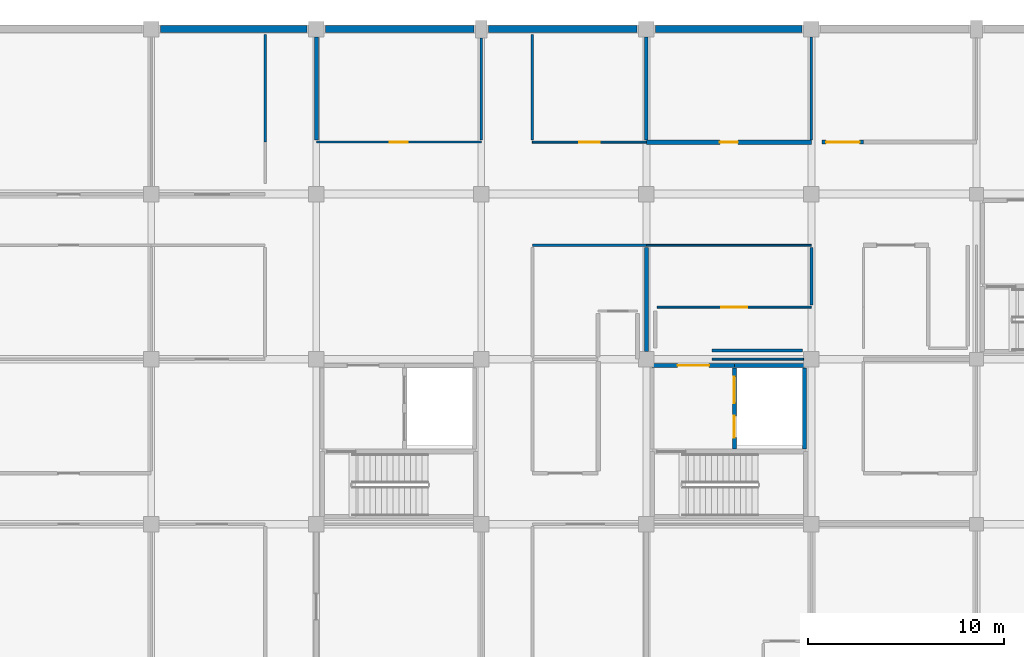
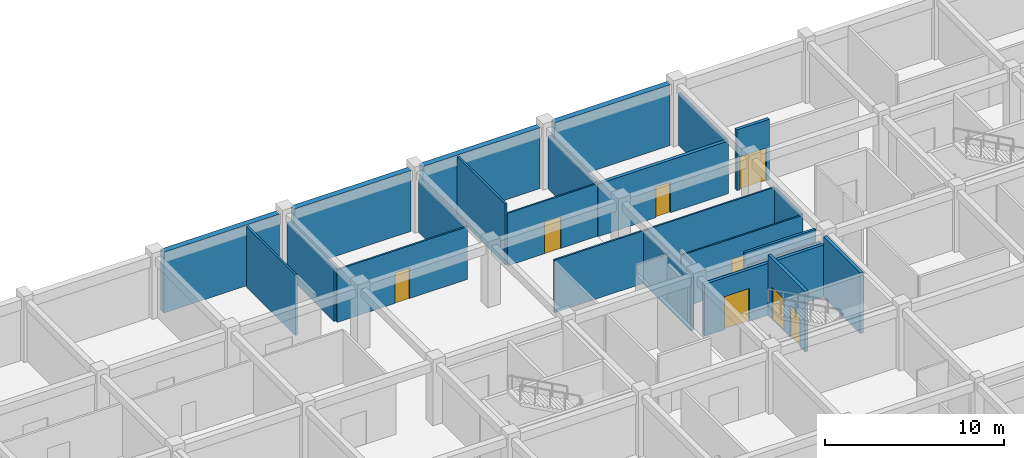
# One storey, part 115 of 144: 25 walls, 8 doors, 8 openings.
"""IFC4 building model written with IfcOpenShell, lengths in metres."""

from ifc_helpers import new_model, si_unit, direction, frame, frame_2d, origin, place, context, subcontext, project, spatial, rectangle, extrude, material, layer, layer_set, type_object, element, fill, save


model = new_model("IFC4")

# Units and contexts
model_context = context("Model", 3, precision=1e-05, world=origin(), true_north=direction((0.0, 1.0)))
body_context = subcontext(model_context, "Body", "Model", "MODEL_VIEW")
ifc_project = project(units=[si_unit("LENGTHUNIT", "METRE"), si_unit("AREAUNIT", "SQUARE_METRE"), si_unit("VOLUMEUNIT", "CUBIC_METRE"), si_unit("PLANEANGLEUNIT", "RADIAN"), si_unit("MASSUNIT", "GRAM", prefix="KILO")], contexts=[model_context])

# Site, building, storey
site_placement = place(None, origin())
site = spatial("IfcSite", under=ifc_project, at=site_placement, CompositionType="ELEMENT")
building_placement = place(site_placement, origin())
building = spatial("IfcBuilding", under=site, at=building_placement, Name="Bramfleet General Hospital", CompositionType="ELEMENT")
storey_placement = place(building_placement, frame((0.0, 0.0, 4.800048828125)))
storey = spatial("IfcBuildingStorey", under=building, at=storey_placement, Name="L01", CompositionType="ELEMENT", Elevation=4.800048828125)

# Walls
ifc_material_1 = material(Name="Concrete C35/45", Category="concrete")
ifc_layer_1 = layer(ifc_material_1, 0.360107421875, Name="WT-EW-02")
ifc_layer_set_1 = layer_set([ifc_layer_1], Name="Concrete C35/45")
wall_type_1 = type_object("IfcWallType", Name="WT-EW-02", PredefinedType="SOLIDWALL", material=ifc_layer_set_1)
wall_1_placement = place(storey_placement, frame((92.875, 117.60009765625, 0.0), z_axis=(0.0, 0.0, 1.0), x_axis=(1.0, 0.0, 0.0)))
element("IfcWall", 1, at=wall_1_placement, inside=storey, type_object=wall_type_1, Name="L01 North REI 90-M Party Wall 167", PredefinedType="SOLIDWALL", context=body_context, shape_type="SweptSolid", body=[
    extrude(rectangle(XDim=7.449951171875, YDim=0.360107421875, at=frame_2d((3.72509765625, 0.0))), origin(), (0.0, 0.0, 1.0), 4.14990234375),
])
for number, where, z_axis, x_axis, name in (
    (2, (101.27490234375, 117.60009765625, 0.0), (0.0, 0.0, 1.0), (1.0, 0.0, 0.0), "L01 North REI 90-M Party Wall 168"),
    (3, (109.574951171875, 117.60009765625, 0.0), (0.0, 0.0, 1.0), (1.0, 0.0, 0.0), "L01 North REI 90-M Party Wall 169"),
):
    element("IfcWall", number, at=place(storey_placement, frame(where, z_axis=z_axis, x_axis=x_axis)), inside=storey, type_object=wall_type_1, Name=name, PredefinedType="SOLIDWALL", context=body_context, shape_type="SweptSolid", body=[
        extrude(rectangle(XDim=7.550048828125, YDim=0.360107421875, at=frame_2d((3.77490234375, 0.0))), origin(), (0.0, 0.0, 1.0), 4.14990234375),
    ])
wall_2_placement = place(storey_placement, frame((118.074951171875, 117.60009765625, 0.0), z_axis=(0.0, 0.0, 1.0), x_axis=(1.0, 0.0, 0.0)))
element("IfcWall", 4, at=wall_2_placement, inside=storey, type_object=wall_type_1, Name="L01 North REI 90-M Party Wall 170", PredefinedType="SOLIDWALL", context=body_context, shape_type="SweptSolid", body=[
    extrude(rectangle(XDim=7.449951171875, YDim=0.360107421875, at=frame_2d((3.72509765625, 0.0))), origin(), (0.0, 0.0, 1.0), 4.14990234375),
])

# Wall, opening, door
ifc_layer_2 = layer(ifc_material_1, 0.219970703125, Name="WT-IW-01")
ifc_layer_set_2 = layer_set([ifc_layer_2], Name="Concrete C35/45")
wall_type_2 = type_object("IfcWallType", Name="WT-IW-01", PredefinedType="PARTITIONING", material=ifc_layer_set_2)
wall_3_placement = place(storey_placement, frame((117.60009765625, 111.85009765625, 0.0), z_axis=(0.0, 0.0, 1.0), x_axis=(1.0, 0.0, 0.0)))
wall_3 = element("IfcWall", 5, at=wall_3_placement, inside=storey, type_object=wall_type_2, Name="L01 Interior Partition IW-L01-1573", PredefinedType="PARTITIONING", context=body_context, shape_type="SweptSolid", body=[
    extrude(rectangle(XDim=8.39990234375, YDim=0.219970703125, at=frame_2d((4.199951171875, 0.0))), origin(), (0.0, 0.0, 1.0), 3.58984375),
])
opening_1_placement = place(wall_3_placement, frame((3.739990234375, 0.0, 0.0)))
opening_1 = element("IfcOpeningElement", 6, at=opening_1_placement, cuts=wall_3, Name="Opening D0793", PredefinedType="OPENING", context=body_context, shape_type="SweptSolid", body=[
    extrude(rectangle(XDim=0.919921875, YDim=2.080078125, at=frame_2d((0.4599609375, 1.0400390625))), frame((0.0, 0.119873046875, 0.0), z_axis=(0.0, -1.0, 0.0), x_axis=(1.0, 0.0, 0.0)), (0.0, 0.0, 1.0), 0.239990234375),
])
ifc_material_2 = material(Name="Stainless steel and acoustic timber leaf", Category="steel")
door_type_1 = type_object("IfcDoorType", Name="DR-D-25", OperationType="NOTDEFINED", PredefinedType="DOOR", material=ifc_material_2)
door_1_placement = place(opening_1_placement, origin())
door_1 = element("IfcDoor", 7, at=door_1_placement, inside=storey, type_object=door_type_1, Name="Pathology and Clinical Laboratory L01-1413A Door D0793", OperationType="SINGLE_SWING_RIGHT", OverallHeight=2.080078125, OverallWidth=0.919921875, PredefinedType="DOOR", context=body_context, shape_type="SweptSolid", body=[
    extrude(rectangle(XDim=0.919921875, YDim=2.080078125, at=frame_2d((0.4599609375, 1.0400390625))), frame((0.0, 0.02490234375, 0.0), z_axis=(0.0, -1.0, 0.0), x_axis=(1.0, 0.0, 0.0)), (0.0, 0.0, 1.0), 0.050048828125),
])
fill(opening_1, door_1)

# Wall, openings, doors
ifc_layer_3 = layer(ifc_material_1, 0.205078125, Name="WT-IW-02")
ifc_layer_set_3 = layer_set([ifc_layer_3], Name="Concrete C35/45")
wall_type_3 = type_object("IfcWallType", Name="WT-IW-02", PredefinedType="PARTITIONING", material=ifc_layer_set_3)
wall_4_placement = place(storey_placement, frame((122.080078125, 96.239990234375, 0.0), z_axis=(0.0, 0.0, 1.0), x_axis=(0.0, 1.0, 0.0)))
wall_4 = element("IfcWall", 8, at=wall_4_placement, inside=storey, type_object=wall_type_3, Name="L01 C6 Lobby East Shaft Wall", PredefinedType="PARTITIONING", context=body_context, shape_type="SweptSolid", body=[
    extrude(rectangle(XDim=4.1201171875, YDim=0.205078125, at=frame_2d((2.06005859375, 0.0))), origin(), (0.0, 0.0, 1.0), 4.139892578125),
])
opening_2_placement = place(wall_4_placement, frame((0.570068359375, 0.0, 0.0)))
opening_2 = element("IfcOpeningElement", 9, at=opening_2_placement, cuts=wall_4, Name="Opening LD-PL-04-L01", PredefinedType="OPENING", context=body_context, shape_type="SweptSolid", body=[
    extrude(rectangle(XDim=1.10009765625, YDim=2.14990234375, at=frame_2d((0.550048828125, 1.074951171875))), frame((0.0, 0.112548828125, 0.0), z_axis=(0.0, -1.0, 0.0), x_axis=(1.0, 0.0, 0.0)), (0.0, 0.0, 1.0), 0.22509765625),
])
opening_3_placement = place(wall_4_placement, frame((2.324951171875, 0.0, 0.0)))
opening_3 = element("IfcOpeningElement", 10, at=opening_3_placement, cuts=wall_4, Name="Opening LD-GL-02-L01", PredefinedType="OPENING", context=body_context, shape_type="SweptSolid", body=[
    extrude(rectangle(XDim=1.35009765625, YDim=2.199951171875, at=frame_2d((0.675048828125, 1.10009765625))), frame((0.0, 0.112548828125, 0.0), z_axis=(0.0, -1.0, 0.0), x_axis=(1.0, 0.0, 0.0)), (0.0, 0.0, 1.0), 0.22509765625),
])
ifc_material_3 = material(Name="Brushed stainless steel 1.4301", Category="steel")
door_type_2 = type_object("IfcDoorType", Name="DR-LD-01", OperationType="NOTDEFINED", PredefinedType="DOOR", material=ifc_material_3)
door_2_placement = place(opening_3_placement, origin())
door_2 = element("IfcDoor", 11, at=door_2_placement, inside=storey, type_object=door_type_2, Name="L01 Lift GL-02 Sliding Landing Door", OperationType="SLIDING_TO_LEFT", OverallHeight=2.199951171875, OverallWidth=1.35009765625, PredefinedType="DOOR", context=body_context, shape_type="SweptSolid", body=[
    extrude(rectangle(XDim=1.35009765625, YDim=2.199951171875, at=frame_2d((0.675048828125, 1.10009765625))), frame((0.0, 0.02490234375, 0.0), z_axis=(0.0, -1.0, 0.0), x_axis=(1.0, 0.0, 0.0)), (0.0, 0.0, 1.0), 0.050048828125),
])
fill(opening_3, door_2)
door_type_3 = type_object("IfcDoorType", Name="DR-LD-02", OperationType="NOTDEFINED", PredefinedType="DOOR", material=ifc_material_3)
door_3_placement = place(opening_2_placement, origin())
door_3 = element("IfcDoor", 12, at=door_3_placement, inside=storey, type_object=door_type_3, Name="L01 Lift PL-04 Sliding Landing Door", OperationType="SLIDING_TO_LEFT", OverallHeight=2.14990234375, OverallWidth=1.10009765625, PredefinedType="DOOR", context=body_context, shape_type="SweptSolid", body=[
    extrude(rectangle(XDim=1.10009765625, YDim=2.14990234375, at=frame_2d((0.550048828125, 1.074951171875))), frame((0.0, 0.02490234375, 0.0), z_axis=(0.0, -1.0, 0.0), x_axis=(1.0, 0.0, 0.0)), (0.0, 0.0, 1.0), 0.050048828125),
])
fill(opening_2, door_3)

# Walls
wall_5_placement = place(storey_placement, frame((125.64990234375, 96.239990234375, 0.0), z_axis=(0.0, 0.0, 1.0), x_axis=(0.0, 1.0, 0.0)))
element("IfcWall", 13, at=wall_5_placement, inside=storey, type_object=wall_type_3, Name="L01 C6 Lift Shaft East Wall", PredefinedType="PARTITIONING", context=body_context, shape_type="SweptSolid", body=[
    extrude(rectangle(XDim=4.1201171875, YDim=0.205078125, at=frame_2d((2.06005859375, 0.0))), origin(), (0.0, 0.0, 1.0), 4.139892578125),
])
wall_6_placement = place(storey_placement, frame((122.080078125, 100.47998046875, 0.0), z_axis=(0.0, 0.0, 1.0), x_axis=(1.0, 0.0, 0.0)))
element("IfcWall", 14, at=wall_6_placement, inside=storey, type_object=wall_type_3, Name="L01 C6 Lift Shaft North Wall", PredefinedType="PARTITIONING", context=body_context, shape_type="SweptSolid", body=[
    extrude(rectangle(XDim=3.56982421875, YDim=0.205078125, at=frame_2d((1.784912109375, 0.0))), origin(), (0.0, 0.0, 1.0), 3.5400390625),
])

# Wall, opening, door
wall_7_placement = place(storey_placement, frame((117.89990234375, 100.47998046875, 0.0), z_axis=(0.0, 0.0, 1.0), x_axis=(1.0, 0.0, 0.0)))
wall_7 = element("IfcWall", 15, at=wall_7_placement, inside=storey, type_object=wall_type_3, Name="L01 C6 Lobby North Compartment Wall", PredefinedType="PARTITIONING", context=body_context, shape_type="SweptSolid", body=[
    extrude(rectangle(XDim=4.18017578125, YDim=0.205078125, at=frame_2d((2.090087890625, 0.0))), origin(), (0.0, 0.0, 1.0), 3.5400390625),
])
opening_4_placement = place(wall_7_placement, frame((1.2900390625, 0.0, 0.0)))
opening_4 = element("IfcOpeningElement", 16, at=opening_4_placement, cuts=wall_7, Name="Opening D0078", PredefinedType="OPENING", context=body_context, shape_type="SweptSolid", body=[
    extrude(rectangle(XDim=1.60009765625, YDim=2.25, at=frame_2d((0.800048828125, 1.125))), frame((0.0, 0.112548828125, 0.0), z_axis=(0.0, -1.0, 0.0), x_axis=(1.0, 0.0, 0.0)), (0.0, 0.0, 1.0), 0.22509765625),
])
door_type_4 = type_object("IfcDoorType", Name="DR-D-04", OperationType="NOTDEFINED", PredefinedType="DOOR", material=ifc_material_2)
door_4_placement = place(opening_4_placement, origin())
door_4 = element("IfcDoor", 17, at=door_4_placement, inside=storey, type_object=door_type_4, Name="L01 C6 Lobby Fire Door D0078", OperationType="DOUBLE_SWING_LEFT", OverallHeight=2.25, OverallWidth=1.60009765625, PredefinedType="DOOR", context=body_context, shape_type="SweptSolid", body=[
    extrude(rectangle(XDim=1.60009765625, YDim=2.25, at=frame_2d((0.800048828125, 1.125))), frame((0.0, 0.02490234375, 0.0), z_axis=(0.0, -1.0, 0.0), x_axis=(1.0, 0.0, 0.0)), (0.0, 0.0, 1.0), 0.050048828125),
])
fill(opening_4, door_4)

wall_8_placement = place(storey_placement, frame((126.550048828125, 111.85009765625, 0.0), z_axis=(0.0, 0.0, 1.0), x_axis=(1.0, 0.0, 0.0)))
wall_8 = element("IfcWall", 18, at=wall_8_placement, inside=storey, type_object=wall_type_3, Name="L01 Interior Partition IW-L01-1574", PredefinedType="PARTITIONING", context=body_context, shape_type="SweptSolid", body=[
    extrude(rectangle(XDim=2.099853515625, YDim=0.205078125, at=frame_2d((1.0498046875, 0.0))), origin(), (0.0, 0.0, 1.0), 4.139892578125),
])
opening_5_placement = place(wall_8_placement, frame((0.199951171875, 0.0, 0.0)))
opening_5 = element("IfcOpeningElement", 19, at=opening_5_placement, cuts=wall_8, Name="Opening D0807", PredefinedType="OPENING", context=body_context, shape_type="SweptSolid", body=[
    extrude(rectangle(XDim=1.699951171875, YDim=2.25, at=frame_2d((0.85009765625, 1.125))), frame((0.0, 0.112548828125, 0.0), z_axis=(0.0, -1.0, 0.0), x_axis=(1.0, 0.0, 0.0)), (0.0, 0.0, 1.0), 0.22509765625),
])
door_type_5 = type_object("IfcDoorType", Name="DR-D-07", OperationType="NOTDEFINED", PredefinedType="DOOR", material=ifc_material_2)
door_5_placement = place(opening_5_placement, origin())
door_5 = element("IfcDoor", 20, at=door_5_placement, inside=storey, type_object=door_type_5, Name="Pathology and Clinical Laboratory L01-1513A Door D0807", OperationType="DOUBLE_SWING_RIGHT", OverallHeight=2.25, OverallWidth=1.699951171875, PredefinedType="DOOR", context=body_context, shape_type="SweptSolid", body=[
    extrude(rectangle(XDim=1.699951171875, YDim=2.25, at=frame_2d((0.85009765625, 1.125))), frame((0.0, 0.02490234375, 0.0), z_axis=(0.0, -1.0, 0.0), x_axis=(1.0, 0.0, 0.0)), (0.0, 0.0, 1.0), 0.050048828125),
])
fill(opening_5, door_5)

# Walls
wall_9_placement = place(storey_placement, frame((100.800048828125, 111.965087890625, 0.0), z_axis=(0.0, 0.0, 1.0), x_axis=(0.0, 1.0, 0.0)))
element("IfcWall", 21, at=wall_9_placement, inside=storey, type_object=wall_type_3, Name="L01 Interior Partition IW-L01-1814", PredefinedType="PARTITIONING", context=body_context, shape_type="SweptSolid", body=[
    extrude(rectangle(XDim=5.239990234375, YDim=0.205078125, at=frame_2d((2.6201171875, 0.0))), origin(), (0.0, 0.0, 1.0), 3.58984375),
])
wall_10_placement = place(storey_placement, frame((117.60009765625, 101.195068359375, 0.0), z_axis=(0.0, 0.0, 1.0), x_axis=(0.0, 1.0, 0.0)))
element("IfcWall", 22, at=wall_10_placement, inside=storey, type_object=wall_type_3, Name="L01 Interior Partition IW-L01-1850", PredefinedType="PARTITIONING", context=body_context, shape_type="SweptSolid", body=[
    extrude(rectangle(XDim=5.2900390625, YDim=0.205078125, at=frame_2d((2.64501953125, 0.0))), origin(), (0.0, 0.0, 1.0), 3.58984375),
])
ifc_layer_4 = layer(ifc_material_1, 0.18994140625, Name="WT-IW-03")
ifc_layer_set_4 = layer_set([ifc_layer_4], Name="Concrete C35/45")
wall_type_4 = type_object("IfcWallType", Name="WT-IW-03", PredefinedType="PARTITIONING", material=ifc_layer_set_4)
wall_11_placement = place(storey_placement, frame((117.60009765625, 111.965087890625, 0.0), z_axis=(0.0, 0.0, 1.0), x_axis=(0.0, 1.0, 0.0)))
element("IfcWall", 23, at=wall_11_placement, inside=storey, type_object=wall_type_4, Name="L01 Interior Partition IW-L01-1851", PredefinedType="PARTITIONING", context=body_context, shape_type="SweptSolid", body=[
    extrude(rectangle(XDim=5.239990234375, YDim=0.18994140625, at=frame_2d((2.6201171875, 0.0))), origin(), (0.0, 0.0, 1.0), 3.58984375),
])
ifc_material_4 = material(Name="Gypsum plasterboard on acoustic steel studs", Category="steel")
ifc_layer_5 = layer(ifc_material_4, 0.159912109375, Name="WT-IW-06")
ifc_layer_set_5 = layer_set([ifc_layer_5], Name="Gypsum plasterboard on acoustic steel studs")
wall_type_5 = type_object("IfcWallType", Name="WT-IW-06", PredefinedType="PARTITIONING", material=ifc_layer_set_5)
wall_12_placement = place(storey_placement, frame((120.949951171875, 101.25, 0.0), z_axis=(0.0, 0.0, 1.0), x_axis=(1.0, 0.0, 0.0)))
element("IfcWall", 24, at=wall_12_placement, inside=storey, type_object=wall_type_5, Name="L01 Interior Partition IW-L01-1530", PredefinedType="PARTITIONING", context=body_context, shape_type="SweptSolid", body=[
    extrude(rectangle(XDim=4.60009765625, YDim=0.159912109375, at=frame_2d((2.300048828125, 0.0))), origin(), (0.0, 0.0, 1.0), 4.139892578125),
])
ifc_layer_6 = layer(ifc_material_4, 0.14990234375, Name="WT-IW-07")
ifc_layer_set_6 = layer_set([ifc_layer_6], Name="Gypsum plasterboard on acoustic steel studs")
wall_type_6 = type_object("IfcWallType", Name="WT-IW-07", PredefinedType="PARTITIONING", material=ifc_layer_set_6)
wall_13_placement = place(storey_placement, frame((126.0, 103.56494140625, 0.0), z_axis=(0.0, 0.0, 1.0), x_axis=(0.0, 1.0, 0.0)))
element("IfcWall", 25, at=wall_13_placement, inside=storey, type_object=wall_type_6, Name="L01 Interior Partition IW-L01-1867", PredefinedType="PARTITIONING", context=body_context, shape_type="SweptSolid", body=[
    extrude(rectangle(XDim=2.920166015625, YDim=0.14990234375, at=frame_2d((1.4599609375, 0.0))), origin(), (0.0, 0.0, 1.0), 3.58984375),
])
ifc_layer_7 = layer(ifc_material_4, 0.139892578125, Name="WT-IW-08")
ifc_layer_set_7 = layer_set([ifc_layer_7], Name="Gypsum plasterboard on acoustic steel studs")
wall_type_7 = type_object("IfcWallType", Name="WT-IW-08", PredefinedType="PARTITIONING", material=ifc_layer_set_7)
wall_14_placement = place(storey_placement, frame((109.199951171875, 111.965087890625, 0.0), z_axis=(0.0, 0.0, 1.0), x_axis=(0.0, 1.0, 0.0)))
element("IfcWall", 26, at=wall_14_placement, inside=storey, type_object=wall_type_7, Name="L01 Interior Partition IW-L01-1820", PredefinedType="PARTITIONING", context=body_context, shape_type="SweptSolid", body=[
    extrude(rectangle(XDim=5.18994140625, YDim=0.139892578125, at=frame_2d((2.594970703125, 0.0))), origin(), (0.0, 0.0, 1.0), 3.58984375),
])
wall_15_placement = place(storey_placement, frame((126.0, 111.965087890625, 0.0), z_axis=(0.0, 0.0, 1.0), x_axis=(0.0, 1.0, 0.0)))
element("IfcWall", 27, at=wall_15_placement, inside=storey, type_object=wall_type_7, Name="L01 Interior Partition IW-L01-1868", PredefinedType="PARTITIONING", context=body_context, shape_type="SweptSolid", body=[
    extrude(rectangle(XDim=5.239990234375, YDim=0.139892578125, at=frame_2d((2.6201171875, 0.0))), origin(), (0.0, 0.0, 1.0), 3.58984375),
])
ifc_layer_8 = layer(ifc_material_4, 0.1298828125, Name="WT-IW-09")
ifc_layer_set_8 = layer_set([ifc_layer_8], Name="Gypsum plasterboard on acoustic steel studs")
wall_type_8 = type_object("IfcWallType", Name="WT-IW-09", PredefinedType="PARTITIONING", material=ifc_layer_set_8)
wall_16_placement = place(storey_placement, frame((98.199951171875, 111.85009765625, 0.0), z_axis=(0.0, 0.0, 1.0), x_axis=(0.0, 1.0, 0.0)))
element("IfcWall", 28, at=wall_16_placement, inside=storey, type_object=wall_type_8, Name="L01 Interior Partition IW-L01-1809", PredefinedType="PARTITIONING", context=body_context, shape_type="SweptSolid", body=[
    extrude(rectangle(XDim=5.469970703125, YDim=0.1298828125, at=frame_2d((2.73486328125, 0.0))), origin(), (0.0, 0.0, 1.0), 4.139892578125),
])
wall_17_placement = place(storey_placement, frame((111.800048828125, 111.965087890625, 0.0), z_axis=(0.0, 0.0, 1.0), x_axis=(0.0, 1.0, 0.0)))
element("IfcWall", 29, at=wall_17_placement, inside=storey, type_object=wall_type_8, Name="L01 Interior Partition IW-L01-1833", PredefinedType="PARTITIONING", context=body_context, shape_type="SweptSolid", body=[
    extrude(rectangle(XDim=5.35498046875, YDim=0.1298828125, at=frame_2d((2.677490234375, 0.0))), origin(), (0.0, 0.0, 1.0), 4.139892578125),
])
ifc_layer_9 = layer(ifc_material_4, 0.112060546875, Name="WT-IW-11")
ifc_layer_set_9 = layer_set([ifc_layer_9], Name="Gypsum plasterboard on acoustic steel studs")
wall_type_9 = type_object("IfcWallType", Name="WT-IW-11", PredefinedType="PARTITIONING", material=ifc_layer_set_9)
wall_18_placement = place(storey_placement, frame((111.800048828125, 106.60009765625, 0.0), z_axis=(0.0, 0.0, 1.0), x_axis=(1.0, 0.0, 0.0)))
element("IfcWall", 30, at=wall_18_placement, inside=storey, type_object=wall_type_9, Name="L01 Interior Partition IW-L01-1547", PredefinedType="PARTITIONING", context=body_context, shape_type="SweptSolid", body=[
    extrude(rectangle(XDim=5.800048828125, YDim=0.112060546875, at=frame_2d((2.89990234375, 0.0))), origin(), (0.0, 0.0, 1.0), 3.58984375),
])

# Wall, opening, door
wall_19_placement = place(storey_placement, frame((100.800048828125, 111.85009765625, 0.0), z_axis=(0.0, 0.0, 1.0), x_axis=(1.0, 0.0, 0.0)))
wall_19 = element("IfcWall", 31, at=wall_19_placement, inside=storey, type_object=wall_type_9, Name="L01 Interior Partition IW-L01-1571", PredefinedType="PARTITIONING", context=body_context, shape_type="SweptSolid", body=[
    extrude(rectangle(XDim=8.39990234375, YDim=0.112060546875, at=frame_2d((4.199951171875, 0.0))), origin(), (0.0, 0.0, 1.0), 3.58984375),
])
opening_6_placement = place(wall_19_placement, frame((3.739990234375, 0.0, 0.0)))
opening_6 = element("IfcOpeningElement", 32, at=opening_6_placement, cuts=wall_19, Name="Opening D0761", PredefinedType="OPENING", context=body_context, shape_type="SweptSolid", body=[
    extrude(rectangle(XDim=0.919921875, YDim=2.080078125, at=frame_2d((0.4599609375, 1.0400390625))), frame((0.0, 0.06591796875, 0.0), z_axis=(0.0, -1.0, 0.0), x_axis=(1.0, 0.0, 0.0)), (0.0, 0.0, 1.0), 0.132080078125),
])
door_6_placement = place(opening_6_placement, origin())
door_6 = element("IfcDoor", 33, at=door_6_placement, inside=storey, type_object=door_type_1, Name="Pathology and Clinical Laboratory L01-1213A Door D0761", OperationType="SINGLE_SWING_RIGHT", OverallHeight=2.080078125, OverallWidth=0.919921875, PredefinedType="DOOR", context=body_context, shape_type="SweptSolid", body=[
    extrude(rectangle(XDim=0.919921875, YDim=2.080078125, at=frame_2d((0.4599609375, 1.0400390625))), frame((0.0, 0.02490234375, 0.0), z_axis=(0.0, -1.0, 0.0), x_axis=(1.0, 0.0, 0.0)), (0.0, 0.0, 1.0), 0.050048828125),
])
fill(opening_6, door_6)

# Wall
ifc_layer_10 = layer(ifc_material_4, 0.10009765625, Name="WT-IW-12")
ifc_layer_set_10 = layer_set([ifc_layer_10], Name="Gypsum plasterboard on acoustic steel studs")
wall_type_10 = type_object("IfcWallType", Name="WT-IW-12", PredefinedType="PARTITIONING", material=ifc_layer_set_10)
wall_20_placement = place(storey_placement, frame((120.949951171875, 100.800048828125, 0.0), z_axis=(0.0, 0.0, 1.0), x_axis=(1.0, 0.0, 0.0)))
element("IfcWall", 34, at=wall_20_placement, inside=storey, type_object=wall_type_10, Name="L01 Interior Partition IW-L01-1524", PredefinedType="PARTITIONING", context=body_context, shape_type="SweptSolid", body=[
    extrude(rectangle(XDim=4.655029296875, YDim=0.10009765625, at=frame_2d((2.32763671875, 0.0))), origin(), (0.0, 0.0, 1.0), 3.5400390625),
])

# Wall, opening, door
wall_21_placement = place(storey_placement, frame((118.14990234375, 103.449951171875, 0.0), z_axis=(0.0, 0.0, 1.0), x_axis=(1.0, 0.0, 0.0)))
wall_21 = element("IfcWall", 35, at=wall_21_placement, inside=storey, type_object=wall_type_10, Name="L01 Interior Partition IW-L01-1536", PredefinedType="PARTITIONING", context=body_context, shape_type="SweptSolid", body=[
    extrude(rectangle(XDim=7.85009765625, YDim=0.10009765625, at=frame_2d((3.925048828125, 0.0))), origin(), (0.0, 0.0, 1.0), 3.58984375),
])
opening_7_placement = place(wall_21_placement, frame((3.264892578125, 0.0, 0.0)))
opening_7 = element("IfcOpeningElement", 36, at=opening_7_placement, cuts=wall_21, Name="Opening D0792", PredefinedType="OPENING", context=body_context, shape_type="SweptSolid", body=[
    extrude(rectangle(XDim=1.320068359375, YDim=2.179931640625, at=frame_2d((0.66015625, 1.08984375))), frame((0.0, 0.06005859375, 0.0), z_axis=(0.0, -1.0, 0.0), x_axis=(1.0, 0.0, 0.0)), (0.0, 0.0, 1.0), 0.1201171875),
])
door_type_6 = type_object("IfcDoorType", Name="DR-D-24", OperationType="NOTDEFINED", PredefinedType="DOOR", material=ifc_material_2)
door_7_placement = place(opening_7_placement, origin())
door_7 = element("IfcDoor", 37, at=door_7_placement, inside=storey, type_object=door_type_6, Name="Pathology and Clinical Laboratory L01-1412A Door D0792", OperationType="SINGLE_SWING_LEFT", OverallHeight=2.179931640625, OverallWidth=1.320068359375, PredefinedType="DOOR", context=body_context, shape_type="SweptSolid", body=[
    extrude(rectangle(XDim=1.320068359375, YDim=2.179931640625, at=frame_2d((0.66015625, 1.08984375))), frame((0.0, 0.02490234375, 0.0), z_axis=(0.0, -1.0, 0.0), x_axis=(1.0, 0.0, 0.0)), (0.0, 0.0, 1.0), 0.050048828125),
])
fill(opening_7, door_7)

# Wall
wall_22_placement = place(storey_placement, frame((117.60009765625, 106.60009765625, 0.0), z_axis=(0.0, 0.0, 1.0), x_axis=(1.0, 0.0, 0.0)))
element("IfcWall", 38, at=wall_22_placement, inside=storey, type_object=wall_type_10, Name="L01 Interior Partition IW-L01-1548", PredefinedType="PARTITIONING", context=body_context, shape_type="SweptSolid", body=[
    extrude(rectangle(XDim=8.39990234375, YDim=0.10009765625, at=frame_2d((4.199951171875, 0.0))), origin(), (0.0, 0.0, 1.0), 3.58984375),
])

# Wall, opening, door
wall_23_placement = place(storey_placement, frame((111.800048828125, 111.85009765625, 0.0), z_axis=(0.0, 0.0, 1.0), x_axis=(1.0, 0.0, 0.0)))
wall_23 = element("IfcWall", 39, at=wall_23_placement, inside=storey, type_object=wall_type_10, Name="L01 Interior Partition IW-L01-1572", PredefinedType="PARTITIONING", context=body_context, shape_type="SweptSolid", body=[
    extrude(rectangle(XDim=5.800048828125, YDim=0.10009765625, at=frame_2d((2.89990234375, 0.0))), origin(), (0.0, 0.0, 1.0), 3.58984375),
])
opening_8_placement = place(wall_23_placement, frame((2.375, 0.0, 0.0)))
opening_8 = element("IfcOpeningElement", 40, at=opening_8_placement, cuts=wall_23, Name="Opening D0777", PredefinedType="OPENING", context=body_context, shape_type="SweptSolid", body=[
    extrude(rectangle(XDim=1.050048828125, YDim=2.14990234375, at=frame_2d((0.52490234375, 1.074951171875))), frame((0.0, 0.06005859375, 0.0), z_axis=(0.0, -1.0, 0.0), x_axis=(1.0, 0.0, 0.0)), (0.0, 0.0, 1.0), 0.1201171875),
])
door_type_7 = type_object("IfcDoorType", Name="DR-D-09", OperationType="NOTDEFINED", PredefinedType="DOOR", material=ifc_material_2)
door_8_placement = place(opening_8_placement, origin())
door_8 = element("IfcDoor", 41, at=door_8_placement, inside=storey, type_object=door_type_7, Name="Pathology and Clinical Laboratory L01-1313A Door D0777", OperationType="SINGLE_SWING_RIGHT", OverallHeight=2.14990234375, OverallWidth=1.050048828125, PredefinedType="DOOR", context=body_context, shape_type="SweptSolid", body=[
    extrude(rectangle(XDim=1.050048828125, YDim=2.14990234375, at=frame_2d((0.52490234375, 1.074951171875))), frame((0.0, 0.02490234375, 0.0), z_axis=(0.0, -1.0, 0.0), x_axis=(1.0, 0.0, 0.0)), (0.0, 0.0, 1.0), 0.050048828125),
])
fill(opening_8, door_8)

save(model, "model.ifc")
